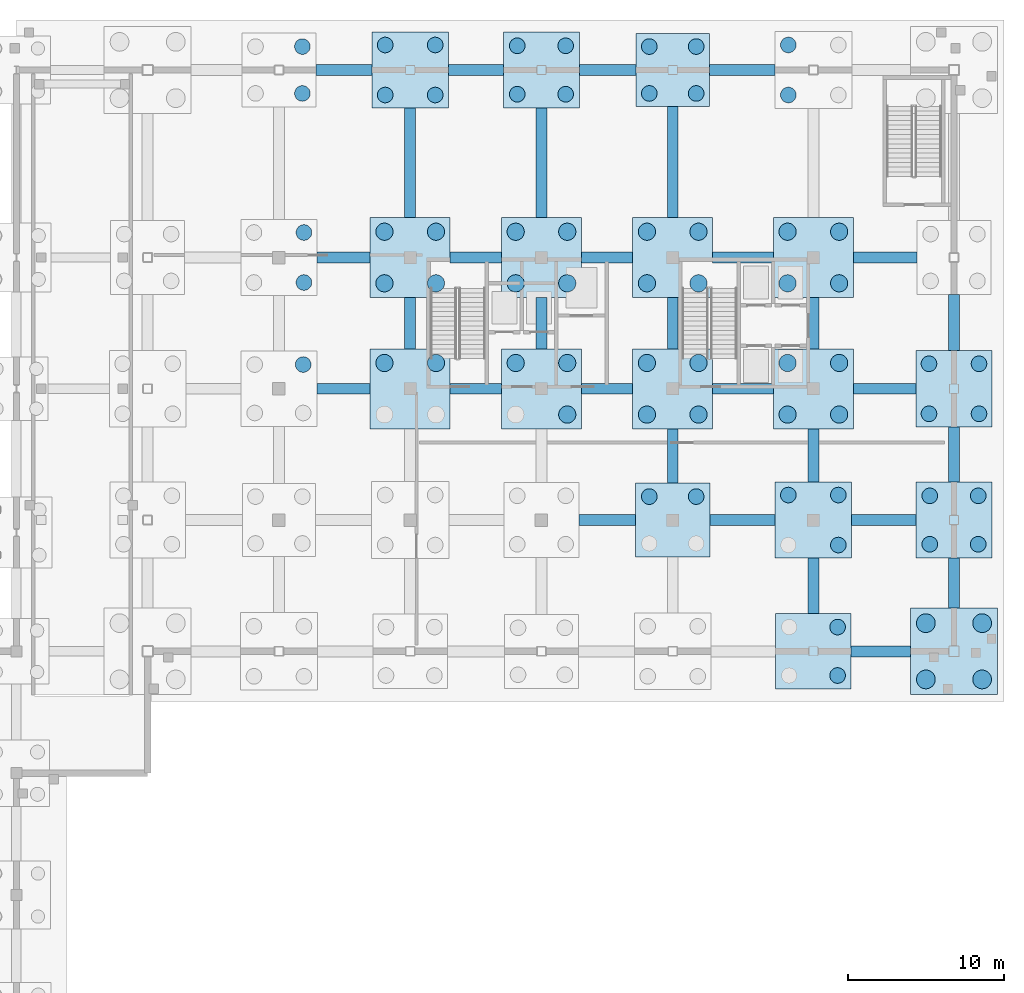
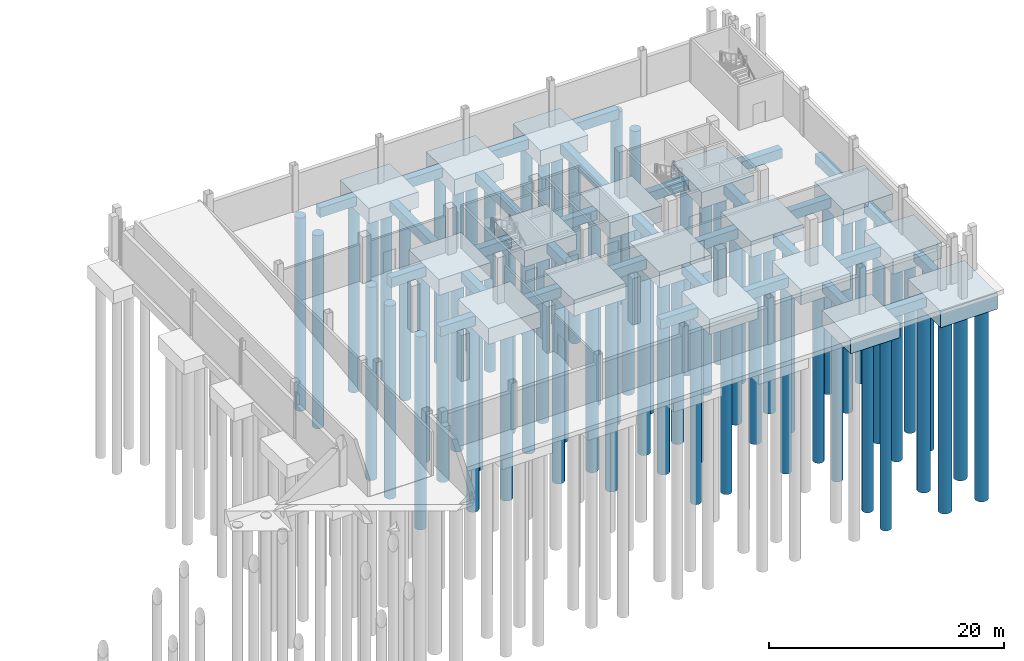
# One storey, part 11 of 44: 67 piles, 48 footings.
"""IFC4 building model written with IfcOpenShell, lengths in metres."""

from ifc_helpers import new_model, si_unit, direction, frame, origin, origin_2d, place, context, subcontext, project, spatial, polyline, rectangle, circle, outline, extrude, material, material_profile, profile_set, type_object, element, save


model = new_model("IFC4")

# Units and contexts
model_context = context("Model", 3, precision=1e-05, world=origin(), true_north=direction((0.0, 1.0)))
body_context = subcontext(model_context, "Body", "Model", "MODEL_VIEW")
ifc_project = project(units=[si_unit("LENGTHUNIT", "METRE"), si_unit("AREAUNIT", "SQUARE_METRE"), si_unit("VOLUMEUNIT", "CUBIC_METRE"), si_unit("PLANEANGLEUNIT", "RADIAN"), si_unit("MASSUNIT", "GRAM", prefix="KILO")], contexts=[model_context])

# Site, building, storey
site_placement = place(None, origin())
site = spatial("IfcSite", under=ifc_project, at=site_placement, CompositionType="ELEMENT")
building_placement = place(site_placement, origin())
building = spatial("IfcBuilding", under=site, at=building_placement, Name="Yukiwa Park Conservatory and Herbarium", CompositionType="ELEMENT")
storey_placement = place(building_placement, frame((0.0, 0.0, -4.800048828125)))
storey = spatial("IfcBuildingStorey", under=building, at=storey_placement, Name="B1", CompositionType="ELEMENT", Elevation=-4.800048828125)

# Footings
ifc_material_1 = material(Name="Concrete C35", Category="concrete")
footing_type_1 = type_object("IfcFootingType", Name="FT-BEAM-700X1000", PredefinedType="FOOTING_BEAM", material=ifc_material_1)
footing_1_placement = place(storey_placement, frame((0.0, 0.0, -1.449951171875)))
element("IfcFooting", 1, at=footing_1_placement, inside=storey, type_object=footing_type_1, Name="Foundation tie beam X-106", PredefinedType="FOOTING_BEAM", context=body_context, shape_type="SweptSolid", body=[
    extrude(outline(polyline([(161.419921875, 77.64990234375), (165.219970703125, 77.64990234375), (165.219970703125, 78.35009765625), (161.419921875, 78.35009765625), (161.419921875, 77.64990234375)])), origin(), (0.0, 0.0, 1.0), 1.0),
])
footing_2_placement = place(storey_placement, frame((0.0, 0.0, -1.449951171875)))
element("IfcFooting", 2, at=footing_2_placement, inside=storey, type_object=footing_type_1, Name="Foundation tie beam X-118", PredefinedType="FOOTING_BEAM", context=body_context, shape_type="SweptSolid", body=[
    extrude(outline(polyline([(143.989990234375, 86.050048828125), (147.6298828125, 86.050048828125), (147.6298828125, 86.75), (143.989990234375, 86.75), (143.989990234375, 86.050048828125)])), origin(), (0.0, 0.0, 1.0), 1.0),
])
footing_3_placement = place(storey_placement, frame((0.0, 0.0, -1.449951171875)))
element("IfcFooting", 3, at=footing_3_placement, inside=storey, type_object=footing_type_1, Name="Foundation tie beam X-119", PredefinedType="FOOTING_BEAM", context=body_context, shape_type="SweptSolid", body=[
    extrude(outline(polyline([(152.3701171875, 86.050048828125), (156.56005859375, 86.050048828125), (156.56005859375, 86.75), (152.3701171875, 86.75), (152.3701171875, 86.050048828125)])), origin(), (0.0, 0.0, 1.0), 1.0),
])
footing_4_placement = place(storey_placement, frame((0.0, 0.0, -1.449951171875)))
element("IfcFooting", 4, at=footing_4_placement, inside=storey, type_object=footing_type_1, Name="Foundation tie beam X-120", PredefinedType="FOOTING_BEAM", context=body_context, shape_type="SweptSolid", body=[
    extrude(outline(polyline([(161.43994140625, 86.050048828125), (165.580078125, 86.050048828125), (165.580078125, 86.75), (161.43994140625, 86.75), (161.43994140625, 86.050048828125)])), origin(), (0.0, 0.0, 1.0), 1.0),
])
footing_5_placement = place(storey_placement, frame((0.0, 0.0, -1.449951171875)))
element("IfcFooting", 5, at=footing_5_placement, inside=storey, type_object=footing_type_1, Name="Foundation tie beam X-129", PredefinedType="FOOTING_BEAM", context=body_context, shape_type="SweptSolid", body=[
    extrude(outline(polyline([(127.219970703125, 94.449951171875), (130.639892578125, 94.449951171875), (130.639892578125, 95.14990234375), (127.219970703125, 95.14990234375), (127.219970703125, 94.449951171875)])), origin(), (0.0, 0.0, 1.0), 1.0),
])
footing_6_placement = place(storey_placement, frame((0.0, 0.0, -1.449951171875)))
element("IfcFooting", 6, at=footing_6_placement, inside=storey, type_object=footing_type_1, Name="Foundation tie beam X-130", PredefinedType="FOOTING_BEAM", context=body_context, shape_type="SweptSolid", body=[
    extrude(outline(polyline([(135.760009765625, 94.449951171875), (139.0400390625, 94.449951171875), (139.0400390625, 95.14990234375), (135.760009765625, 95.14990234375), (135.760009765625, 94.449951171875)])), origin(), (0.0, 0.0, 1.0), 1.0),
])
footing_7_placement = place(storey_placement, frame((0.0, 0.0, -1.449951171875)))
element("IfcFooting", 7, at=footing_7_placement, inside=storey, type_object=footing_type_1, Name="Foundation tie beam X-131", PredefinedType="FOOTING_BEAM", context=body_context, shape_type="SweptSolid", body=[
    extrude(outline(polyline([(144.159912109375, 94.449951171875), (147.43994140625, 94.449951171875), (147.43994140625, 95.14990234375), (144.159912109375, 95.14990234375), (144.159912109375, 94.449951171875)])), origin(), (0.0, 0.0, 1.0), 1.0),
])
footing_8_placement = place(storey_placement, frame((0.0, 0.0, -1.449951171875)))
element("IfcFooting", 8, at=footing_8_placement, inside=storey, type_object=footing_type_1, Name="Foundation tie beam X-132", PredefinedType="FOOTING_BEAM", context=body_context, shape_type="SweptSolid", body=[
    extrude(outline(polyline([(152.56005859375, 94.449951171875), (156.43994140625, 94.449951171875), (156.43994140625, 95.14990234375), (152.56005859375, 95.14990234375), (152.56005859375, 94.449951171875)])), origin(), (0.0, 0.0, 1.0), 1.0),
])
footing_9_placement = place(storey_placement, frame((0.0, 0.0, -1.449951171875)))
element("IfcFooting", 9, at=footing_9_placement, inside=storey, type_object=footing_type_1, Name="Foundation tie beam X-133", PredefinedType="FOOTING_BEAM", context=body_context, shape_type="SweptSolid", body=[
    extrude(outline(polyline([(161.56005859375, 94.449951171875), (165.56005859375, 94.449951171875), (165.56005859375, 95.14990234375), (161.56005859375, 95.14990234375), (161.56005859375, 94.449951171875)])), origin(), (0.0, 0.0, 1.0), 1.0),
])
footing_10_placement = place(storey_placement, frame((0.0, 0.0, -1.449951171875)))
element("IfcFooting", 10, at=footing_10_placement, inside=storey, type_object=footing_type_1, Name="Foundation tie beam X-142", PredefinedType="FOOTING_BEAM", context=body_context, shape_type="SweptSolid", body=[
    extrude(outline(polyline([(127.239990234375, 102.85009765625), (130.639892578125, 102.85009765625), (130.639892578125, 103.550048828125), (127.239990234375, 103.550048828125), (127.239990234375, 102.85009765625)])), origin(), (0.0, 0.0, 1.0), 1.0),
])
footing_11_placement = place(storey_placement, frame((0.0, 0.0, -1.449951171875)))
element("IfcFooting", 11, at=footing_11_placement, inside=storey, type_object=footing_type_1, Name="Foundation tie beam X-143", PredefinedType="FOOTING_BEAM", context=body_context, shape_type="SweptSolid", body=[
    extrude(outline(polyline([(135.760009765625, 102.85009765625), (139.0400390625, 102.85009765625), (139.0400390625, 103.550048828125), (135.760009765625, 103.550048828125), (135.760009765625, 102.85009765625)])), origin(), (0.0, 0.0, 1.0), 1.0),
])
footing_12_placement = place(storey_placement, frame((0.0, 0.0, -1.449951171875)))
element("IfcFooting", 12, at=footing_12_placement, inside=storey, type_object=footing_type_1, Name="Foundation tie beam X-144", PredefinedType="FOOTING_BEAM", context=body_context, shape_type="SweptSolid", body=[
    extrude(outline(polyline([(144.159912109375, 102.85009765625), (147.43994140625, 102.85009765625), (147.43994140625, 103.550048828125), (144.159912109375, 103.550048828125), (144.159912109375, 102.85009765625)])), origin(), (0.0, 0.0, 1.0), 1.0),
])
footing_13_placement = place(storey_placement, frame((0.0, 0.0, -1.449951171875)))
element("IfcFooting", 13, at=footing_13_placement, inside=storey, type_object=footing_type_1, Name="Foundation tie beam X-145", PredefinedType="FOOTING_BEAM", context=body_context, shape_type="SweptSolid", body=[
    extrude(outline(polyline([(152.56005859375, 102.85009765625), (156.43994140625, 102.85009765625), (156.43994140625, 103.550048828125), (152.56005859375, 103.550048828125), (152.56005859375, 102.85009765625)])), origin(), (0.0, 0.0, 1.0), 1.0),
])
footing_14_placement = place(storey_placement, frame((0.0, 0.0, -1.449951171875)))
element("IfcFooting", 14, at=footing_14_placement, inside=storey, type_object=footing_type_1, Name="Foundation tie beam X-146", PredefinedType="FOOTING_BEAM", context=body_context, shape_type="SweptSolid", body=[
    extrude(outline(polyline([(161.56005859375, 102.85009765625), (165.6298828125, 102.85009765625), (165.6298828125, 103.550048828125), (161.56005859375, 103.550048828125), (161.56005859375, 102.85009765625)])), origin(), (0.0, 0.0, 1.0), 1.0),
])
footing_15_placement = place(storey_placement, frame((0.0, 0.0, -1.449951171875)))
element("IfcFooting", 15, at=footing_15_placement, inside=storey, type_object=footing_type_1, Name="Foundation tie beam X-155", PredefinedType="FOOTING_BEAM", context=body_context, shape_type="SweptSolid", body=[
    extrude(outline(polyline([(127.169921875, 114.85009765625), (130.760009765625, 114.85009765625), (130.760009765625, 115.550048828125), (127.169921875, 115.550048828125), (127.169921875, 114.85009765625)])), origin(), (0.0, 0.0, 1.0), 1.0),
])
footing_16_placement = place(storey_placement, frame((0.0, 0.0, -1.449951171875)))
element("IfcFooting", 16, at=footing_16_placement, inside=storey, type_object=footing_type_1, Name="Foundation tie beam X-156", PredefinedType="FOOTING_BEAM", context=body_context, shape_type="SweptSolid", body=[
    extrude(outline(polyline([(135.639892578125, 114.85009765625), (139.179931640625, 114.85009765625), (139.179931640625, 115.550048828125), (135.639892578125, 115.550048828125), (135.639892578125, 114.85009765625)])), origin(), (0.0, 0.0, 1.0), 1.0),
])
footing_17_placement = place(storey_placement, frame((0.0, 0.0, -1.449951171875)))
element("IfcFooting", 17, at=footing_17_placement, inside=storey, type_object=footing_type_1, Name="Foundation tie beam X-157", PredefinedType="FOOTING_BEAM", context=body_context, shape_type="SweptSolid", body=[
    extrude(outline(polyline([(144.02001953125, 114.85009765625), (147.659912109375, 114.85009765625), (147.659912109375, 115.550048828125), (144.02001953125, 115.550048828125), (144.02001953125, 114.85009765625)])), origin(), (0.0, 0.0, 1.0), 1.0),
])
footing_18_placement = place(storey_placement, frame((0.0, 0.0, -1.449951171875)))
element("IfcFooting", 18, at=footing_18_placement, inside=storey, type_object=footing_type_1, Name="Foundation tie beam X-158", PredefinedType="FOOTING_BEAM", context=body_context, shape_type="SweptSolid", body=[
    extrude(outline(polyline([(152.340087890625, 114.85009765625), (156.530029296875, 114.85009765625), (156.530029296875, 115.550048828125), (152.340087890625, 115.550048828125), (152.340087890625, 114.85009765625)])), origin(), (0.0, 0.0, 1.0), 1.0),
])
footing_19_placement = place(storey_placement, frame((0.0, 0.0, -1.449951171875)))
element("IfcFooting", 19, at=footing_19_placement, inside=storey, type_object=footing_type_1, Name="Foundation tie beam Y-293", PredefinedType="FOOTING_BEAM", context=body_context, shape_type="SweptSolid", body=[
    extrude(outline(polyline([(132.85009765625, 97.360107421875), (133.550048828125, 97.360107421875), (133.550048828125, 100.639892578125), (132.85009765625, 100.639892578125), (132.85009765625, 97.360107421875)])), origin(), (0.0, 0.0, 1.0), 1.0),
])
footing_20_placement = place(storey_placement, frame((0.0, 0.0, -1.449951171875)))
element("IfcFooting", 20, at=footing_20_placement, inside=storey, type_object=footing_type_1, Name="Foundation tie beam Y-294", PredefinedType="FOOTING_BEAM", context=body_context, shape_type="SweptSolid", body=[
    extrude(outline(polyline([(132.85009765625, 105.760009765625), (133.550048828125, 105.760009765625), (133.550048828125, 112.760009765625), (132.85009765625, 112.760009765625), (132.85009765625, 105.760009765625)])), origin(), (0.0, 0.0, 1.0), 1.0),
])
footing_21_placement = place(storey_placement, frame((0.0, 0.0, -1.449951171875)))
element("IfcFooting", 21, at=footing_21_placement, inside=storey, type_object=footing_type_1, Name="Foundation tie beam Y-297", PredefinedType="FOOTING_BEAM", context=body_context, shape_type="SweptSolid", body=[
    extrude(outline(polyline([(141.25, 97.360107421875), (141.949951171875, 97.360107421875), (141.949951171875, 100.639892578125), (141.25, 100.639892578125), (141.25, 97.360107421875)])), origin(), (0.0, 0.0, 1.0), 1.0),
])
footing_22_placement = place(storey_placement, frame((0.0, 0.0, -1.449951171875)))
element("IfcFooting", 22, at=footing_22_placement, inside=storey, type_object=footing_type_1, Name="Foundation tie beam Y-298", PredefinedType="FOOTING_BEAM", context=body_context, shape_type="SweptSolid", body=[
    extrude(outline(polyline([(141.25, 105.760009765625), (141.949951171875, 105.760009765625), (141.949951171875, 112.780029296875), (141.25, 112.780029296875), (141.25, 105.760009765625)])), origin(), (0.0, 0.0, 1.0), 1.0),
])
footing_23_placement = place(storey_placement, frame((0.0, 0.0, -1.449951171875)))
element("IfcFooting", 23, at=footing_23_placement, inside=storey, type_object=footing_type_1, Name="Foundation tie beam Y-300", PredefinedType="FOOTING_BEAM", context=body_context, shape_type="SweptSolid", body=[
    extrude(outline(polyline([(149.64990234375, 88.77001953125), (150.35009765625, 88.77001953125), (150.35009765625, 92.239990234375), (149.64990234375, 92.239990234375), (149.64990234375, 88.77001953125)])), origin(), (0.0, 0.0, 1.0), 1.0),
])
footing_24_placement = place(storey_placement, frame((0.0, 0.0, -1.449951171875)))
element("IfcFooting", 24, at=footing_24_placement, inside=storey, type_object=footing_type_1, Name="Foundation tie beam Y-301", PredefinedType="FOOTING_BEAM", context=body_context, shape_type="SweptSolid", body=[
    extrude(outline(polyline([(149.64990234375, 97.360107421875), (150.35009765625, 97.360107421875), (150.35009765625, 100.639892578125), (149.64990234375, 100.639892578125), (149.64990234375, 97.360107421875)])), origin(), (0.0, 0.0, 1.0), 1.0),
])
footing_25_placement = place(storey_placement, frame((0.0, 0.0, -1.449951171875)))
element("IfcFooting", 25, at=footing_25_placement, inside=storey, type_object=footing_type_1, Name="Foundation tie beam Y-302", PredefinedType="FOOTING_BEAM", context=body_context, shape_type="SweptSolid", body=[
    extrude(outline(polyline([(149.64990234375, 105.760009765625), (150.35009765625, 105.760009765625), (150.35009765625, 112.860107421875), (149.64990234375, 112.860107421875), (149.64990234375, 105.760009765625)])), origin(), (0.0, 0.0, 1.0), 1.0),
])
footing_26_placement = place(storey_placement, frame((0.0, 0.0, -1.449951171875)))
element("IfcFooting", 26, at=footing_26_placement, inside=storey, type_object=footing_type_1, Name="Foundation tie beam Y-303", PredefinedType="FOOTING_BEAM", context=body_context, shape_type="SweptSolid", body=[
    extrude(outline(polyline([(158.64990234375, 80.419921875), (159.35009765625, 80.419921875), (159.35009765625, 83.9599609375), (158.64990234375, 83.9599609375), (158.64990234375, 80.419921875)])), origin(), (0.0, 0.0, 1.0), 1.0),
])
footing_27_placement = place(storey_placement, frame((0.0, 0.0, -1.449951171875)))
element("IfcFooting", 27, at=footing_27_placement, inside=storey, type_object=footing_type_1, Name="Foundation tie beam Y-304", PredefinedType="FOOTING_BEAM", context=body_context, shape_type="SweptSolid", body=[
    extrude(outline(polyline([(158.64990234375, 88.840087890625), (159.35009765625, 88.840087890625), (159.35009765625, 92.239990234375), (158.64990234375, 92.239990234375), (158.64990234375, 88.840087890625)])), origin(), (0.0, 0.0, 1.0), 1.0),
])
footing_28_placement = place(storey_placement, frame((0.0, 0.0, -1.449951171875)))
element("IfcFooting", 28, at=footing_28_placement, inside=storey, type_object=footing_type_1, Name="Foundation tie beam Y-305", PredefinedType="FOOTING_BEAM", context=body_context, shape_type="SweptSolid", body=[
    extrude(outline(polyline([(158.64990234375, 97.360107421875), (159.35009765625, 97.360107421875), (159.35009765625, 100.639892578125), (158.64990234375, 100.639892578125), (158.64990234375, 97.360107421875)])), origin(), (0.0, 0.0, 1.0), 1.0),
])
footing_29_placement = place(storey_placement, frame((0.0, 0.0, -1.449951171875)))
element("IfcFooting", 29, at=footing_29_placement, inside=storey, type_object=footing_type_1, Name="Foundation tie beam Y-307", PredefinedType="FOOTING_BEAM", context=body_context, shape_type="SweptSolid", body=[
    extrude(outline(polyline([(167.64990234375, 80.780029296875), (168.35009765625, 80.780029296875), (168.35009765625, 83.97998046875), (167.64990234375, 83.97998046875), (167.64990234375, 80.780029296875)])), origin(), (0.0, 0.0, 1.0), 1.0),
])
footing_30_placement = place(storey_placement, frame((0.0, 0.0, -1.449951171875)))
element("IfcFooting", 30, at=footing_30_placement, inside=storey, type_object=footing_type_1, Name="Foundation tie beam Y-308", PredefinedType="FOOTING_BEAM", context=body_context, shape_type="SweptSolid", body=[
    extrude(outline(polyline([(167.64990234375, 88.820068359375), (168.35009765625, 88.820068359375), (168.35009765625, 92.360107421875), (167.64990234375, 92.360107421875), (167.64990234375, 88.820068359375)])), origin(), (0.0, 0.0, 1.0), 1.0),
])
footing_31_placement = place(storey_placement, frame((0.0, 0.0, -1.449951171875)))
element("IfcFooting", 31, at=footing_31_placement, inside=storey, type_object=footing_type_1, Name="Foundation tie beam Y-309", PredefinedType="FOOTING_BEAM", context=body_context, shape_type="SweptSolid", body=[
    extrude(outline(polyline([(167.64990234375, 97.239990234375), (168.35009765625, 97.239990234375), (168.35009765625, 100.830078125), (167.64990234375, 100.830078125), (167.64990234375, 97.239990234375)])), origin(), (0.0, 0.0, 1.0), 1.0),
])
ifc_material_2 = material(Name="Concrete C35", Category="concrete")
footing_type_2 = type_object("IfcFootingType", Name="FT-PC-4680X4680X1600", PredefinedType="PILE_CAP", material=ifc_material_2)
footing_32_placement = place(storey_placement, frame((150.0, 115.199951171875, -2.050048828125), z_axis=(0.0, 0.0, 1.0), x_axis=(1.0, 0.0, 0.0)))
element("IfcFooting", 32, at=footing_32_placement, inside=storey, type_object=footing_type_2, Name="Reinforced concrete pile cap 169", PredefinedType="PILE_CAP", context=body_context, shape_type="SweptSolid", body=[
    extrude(rectangle(XDim=4.679931640625, YDim=4.679931640625, at=origin_2d()), origin(), (0.0, 0.0, 1.0), 1.60009765625),
])
ifc_material_3 = material(Name="Concrete C35", Category="concrete")
footing_type_3 = type_object("IfcFootingType", Name="FT-PC-4740X4740X1600", PredefinedType="PILE_CAP", material=ifc_material_3)
footing_33_placement = place(storey_placement, frame((150.0, 86.39990234375, -2.050048828125), z_axis=(0.0, 0.0, 1.0), x_axis=(1.0, 0.0, 0.0)))
element("IfcFooting", 33, at=footing_33_placement, inside=storey, type_object=footing_type_3, Name="Reinforced concrete pile cap 166", PredefinedType="PILE_CAP", context=body_context, shape_type="SweptSolid", body=[
    extrude(rectangle(XDim=4.739990234375, YDim=4.739990234375, at=origin_2d()), origin(), (0.0, 0.0, 1.0), 1.60009765625),
])
ifc_material_4 = material(Name="Concrete C35", Category="concrete")
footing_type_4 = type_object("IfcFootingType", Name="FT-PC-4840X4840X1600", PredefinedType="PILE_CAP", material=ifc_material_4)
for number, where, z_axis, x_axis, name in (
    (34, (141.60009765625, 115.199951171875, -2.050048828125), (0.0, 0.0, 1.0), (1.0, 0.0, 0.0), "Reinforced concrete pile cap 164"),
    (35, (159.0, 78.0, -2.050048828125), (0.0, 0.0, 1.0), (1.0, 0.0, 0.0), "Reinforced concrete pile cap 170"),
    (36, (168.0, 86.39990234375, -2.050048828125), (0.0, 0.0, 1.0), (1.0, 0.0, 0.0), "Reinforced concrete pile cap 176"),
):
    element("IfcFooting", number, at=place(storey_placement, frame(where, z_axis=z_axis, x_axis=x_axis)), inside=storey, type_object=footing_type_4, Name=name, PredefinedType="PILE_CAP", context=body_context, shape_type="SweptSolid", body=[
        extrude(rectangle(XDim=4.840087890625, YDim=4.840087890625, at=origin_2d()), origin(), (0.0, 0.0, 1.0), 1.60009765625),
    ])
ifc_material_5 = material(Name="Concrete C35", Category="concrete")
footing_type_5 = type_object("IfcFootingType", Name="FT-PC-4880X4880X1600", PredefinedType="PILE_CAP", material=ifc_material_5)
for number, where, z_axis, x_axis, name in (
    (37, (133.199951171875, 115.199951171875, -2.050048828125), (0.0, 0.0, 1.0), (1.0, 0.0, 0.0), "Reinforced concrete pile cap 159"),
    (38, (159.0, 86.39990234375, -2.050048828125), (0.0, 0.0, 1.0), (1.0, 0.0, 0.0), "Reinforced concrete pile cap 171"),
    (39, (168.0, 94.800048828125, -2.050048828125), (0.0, 0.0, 1.0), (1.0, 0.0, 0.0), "Reinforced concrete pile cap 177"),
):
    element("IfcFooting", number, at=place(storey_placement, frame(where, z_axis=z_axis, x_axis=x_axis)), inside=storey, type_object=footing_type_5, Name=name, PredefinedType="PILE_CAP", context=body_context, shape_type="SweptSolid", body=[
        extrude(rectangle(XDim=4.8798828125, YDim=4.8798828125, at=origin_2d()), origin(), (0.0, 0.0, 1.0), 1.60009765625),
    ])
ifc_material_6 = material(Name="Concrete C35", Category="concrete")
footing_type_6 = type_object("IfcFootingType", Name="FT-PC-5120X5120X1650", PredefinedType="PILE_CAP", material=ifc_material_6)
for number, where, z_axis, x_axis, name in (
    (40, (133.199951171875, 94.800048828125, -2.099853515625), (0.0, 0.0, 1.0), (1.0, 0.0, 0.0), "Reinforced concrete pile cap 157"),
    (41, (133.199951171875, 103.199951171875, -2.099853515625), (0.0, 0.0, 1.0), (1.0, 0.0, 0.0), "Reinforced concrete pile cap 158"),
    (42, (141.60009765625, 94.800048828125, -2.099853515625), (0.0, 0.0, 1.0), (1.0, 0.0, 0.0), "Reinforced concrete pile cap 162"),
    (43, (141.60009765625, 103.199951171875, -2.099853515625), (0.0, 0.0, 1.0), (1.0, 0.0, 0.0), "Reinforced concrete pile cap 163"),
    (44, (150.0, 94.800048828125, -2.099853515625), (0.0, 0.0, 1.0), (1.0, 0.0, 0.0), "Reinforced concrete pile cap 167"),
    (45, (150.0, 103.199951171875, -2.099853515625), (0.0, 0.0, 1.0), (1.0, 0.0, 0.0), "Reinforced concrete pile cap 168"),
    (46, (159.0, 94.800048828125, -2.099853515625), (0.0, 0.0, 1.0), (1.0, 0.0, 0.0), "Reinforced concrete pile cap 172"),
    (47, (159.0, 103.199951171875, -2.099853515625), (0.0, 0.0, 1.0), (1.0, 0.0, 0.0), "Reinforced concrete pile cap 173"),
):
    element("IfcFooting", number, at=place(storey_placement, frame(where, z_axis=z_axis, x_axis=x_axis)), inside=storey, type_object=footing_type_6, Name=name, PredefinedType="PILE_CAP", context=body_context, shape_type="SweptSolid", body=[
        extrude(rectangle(XDim=5.1201171875, YDim=5.1201171875, at=origin_2d()), origin(), (0.0, 0.0, 1.0), 1.64990234375),
    ])
ifc_material_7 = material(Name="Concrete C35", Category="concrete")
footing_type_7 = type_object("IfcFootingType", Name="FT-PC-5560X5560X1700", PredefinedType="PILE_CAP", material=ifc_material_7)
footing_34_placement = place(storey_placement, frame((168.0, 78.0, -2.14990234375), z_axis=(0.0, 0.0, 1.0), x_axis=(1.0, 0.0, 0.0)))
element("IfcFooting", 48, at=footing_34_placement, inside=storey, type_object=footing_type_7, Name="Reinforced concrete pile cap 175", PredefinedType="PILE_CAP", context=body_context, shape_type="SweptSolid", body=[
    extrude(rectangle(XDim=5.56005859375, YDim=5.56005859375, at=origin_2d()), origin(), (0.0, 0.0, 1.0), 1.699951171875),
])

# Piles
ifc_material_8 = material(Name="Concrete C35", Category="concrete")
ifc_material_profile_1 = material_profile(ifc_material_8, circle(Radius=0.5, at=origin_2d()), Name="PILE D1000")
ifc_profile_set_1 = profile_set([ifc_material_profile_1], Name="Concrete C35")
pile_type_1 = type_object("IfcPileType", Name="PL-BORED-D1000", PredefinedType="BORED", material=ifc_profile_set_1)
for number, where, z_axis, x_axis, name in (
    (49, (126.35009765625, 96.35009765625, -1.949951171875), (0.0, 0.0, -1.0), (1.0, 0.0, 0.0), "Bored cast-in-place pile 152.4"),
    (50, (126.39990234375, 101.60009765625, -1.949951171875), (0.0, 0.0, -1.0), (1.0, 0.0, 0.0), "Bored cast-in-place pile 153.2"),
    (51, (126.39990234375, 104.800048828125, -1.949951171875), (0.0, 0.0, -1.0), (1.0, 0.0, 0.0), "Bored cast-in-place pile 153.4"),
    (52, (126.300048828125, 113.699951171875, -1.949951171875), (0.0, 0.0, -1.0), (1.0, 0.0, 0.0), "Bored cast-in-place pile 154.2"),
    (53, (126.300048828125, 116.699951171875, -1.949951171875), (0.0, 0.0, -1.0), (1.0, 0.0, 0.0), "Bored cast-in-place pile 154.4"),
    (54, (131.60009765625, 113.60009765625, -1.949951171875), (0.0, 0.0, -1.0), (1.0, 0.0, 0.0), "Bored cast-in-place pile 159.1"),
    (55, (134.800048828125, 113.60009765625, -1.949951171875), (0.0, 0.0, -1.0), (1.0, 0.0, 0.0), "Bored cast-in-place pile 159.2"),
    (56, (131.60009765625, 116.800048828125, -1.949951171875), (0.0, 0.0, -1.0), (1.0, 0.0, 0.0), "Bored cast-in-place pile 159.3"),
    (57, (134.800048828125, 116.800048828125, -1.949951171875), (0.0, 0.0, -1.0), (1.0, 0.0, 0.0), "Bored cast-in-place pile 159.4"),
    (58, (140.050048828125, 113.64990234375, -1.949951171875), (0.0, 0.0, -1.0), (1.0, 0.0, 0.0), "Bored cast-in-place pile 164.1"),
    (59, (143.14990234375, 113.64990234375, -1.949951171875), (0.0, 0.0, -1.0), (1.0, 0.0, 0.0), "Bored cast-in-place pile 164.2"),
    (60, (140.050048828125, 116.75, -1.949951171875), (0.0, 0.0, -1.0), (1.0, 0.0, 0.0), "Bored cast-in-place pile 164.3"),
    (61, (143.14990234375, 116.75, -1.949951171875), (0.0, 0.0, -1.0), (1.0, 0.0, 0.0), "Bored cast-in-place pile 164.4"),
    (62, (148.5, 87.89990234375, -1.949951171875), (0.0, 0.0, -1.0), (1.0, 0.0, 0.0), "Bored cast-in-place pile 166.3"),
    (63, (151.5, 87.89990234375, -1.949951171875), (0.0, 0.0, -1.0), (1.0, 0.0, 0.0), "Bored cast-in-place pile 166.4"),
    (64, (148.5, 113.699951171875, -1.949951171875), (0.0, 0.0, -1.0), (1.0, 0.0, 0.0), "Bored cast-in-place pile 169.1"),
    (65, (151.5, 113.699951171875, -1.949951171875), (0.0, 0.0, -1.0), (1.0, 0.0, 0.0), "Bored cast-in-place pile 169.2"),
    (66, (148.5, 116.699951171875, -1.949951171875), (0.0, 0.0, -1.0), (1.0, 0.0, 0.0), "Bored cast-in-place pile 169.3"),
    (67, (151.5, 116.699951171875, -1.949951171875), (0.0, 0.0, -1.0), (1.0, 0.0, 0.0), "Bored cast-in-place pile 169.4"),
    (68, (160.550048828125, 76.449951171875, -1.949951171875), (0.0, 0.0, -1.0), (1.0, 0.0, 0.0), "Bored cast-in-place pile 170.2"),
    (69, (160.550048828125, 79.550048828125, -1.949951171875), (0.0, 0.0, -1.0), (1.0, 0.0, 0.0), "Bored cast-in-place pile 170.4"),
    (70, (160.60009765625, 84.800048828125, -1.949951171875), (0.0, 0.0, -1.0), (1.0, 0.0, 0.0), "Bored cast-in-place pile 171.2"),
    (71, (157.39990234375, 88.0, -1.949951171875), (0.0, 0.0, -1.0), (1.0, 0.0, 0.0), "Bored cast-in-place pile 171.3"),
    (72, (160.60009765625, 88.0, -1.949951171875), (0.0, 0.0, -1.0), (1.0, 0.0, 0.0), "Bored cast-in-place pile 171.4"),
    (73, (157.39990234375, 113.60009765625, -1.949951171875), (0.0, 0.0, -1.0), (1.0, 0.0, 0.0), "Bored cast-in-place pile 174.1"),
    (74, (157.39990234375, 116.800048828125, -1.949951171875), (0.0, 0.0, -1.0), (1.0, 0.0, 0.0), "Bored cast-in-place pile 174.3"),
    (75, (166.449951171875, 84.85009765625, -1.949951171875), (0.0, 0.0, -1.0), (1.0, 0.0, 0.0), "Bored cast-in-place pile 176.1"),
    (76, (169.550048828125, 84.85009765625, -1.949951171875), (0.0, 0.0, -1.0), (1.0, 0.0, 0.0), "Bored cast-in-place pile 176.2"),
    (77, (166.449951171875, 87.949951171875, -1.949951171875), (0.0, 0.0, -1.0), (1.0, 0.0, 0.0), "Bored cast-in-place pile 176.3"),
    (78, (169.550048828125, 87.949951171875, -1.949951171875), (0.0, 0.0, -1.0), (1.0, 0.0, 0.0), "Bored cast-in-place pile 176.4"),
    (79, (166.39990234375, 93.199951171875, -1.949951171875), (0.0, 0.0, -1.0), (1.0, 0.0, 0.0), "Bored cast-in-place pile 177.1"),
    (80, (169.60009765625, 93.199951171875, -1.949951171875), (0.0, 0.0, -1.0), (1.0, 0.0, 0.0), "Bored cast-in-place pile 177.2"),
    (81, (166.39990234375, 96.39990234375, -1.949951171875), (0.0, 0.0, -1.0), (1.0, 0.0, 0.0), "Bored cast-in-place pile 177.3"),
    (82, (169.60009765625, 96.39990234375, -1.949951171875), (0.0, 0.0, -1.0), (1.0, 0.0, 0.0), "Bored cast-in-place pile 177.4"),
):
    element("IfcPile", number, at=place(storey_placement, frame(where, z_axis=z_axis, x_axis=x_axis)), inside=storey, type_object=pile_type_1, Name=name, PredefinedType="BORED", context=body_context, shape_type="SweptSolid", body=[
        extrude(circle(Radius=0.5, at=origin_2d()), origin(), (0.0, 0.0, 1.0), 20.050048828125),
    ])
ifc_material_9 = material(Name="Concrete C35", Category="concrete")
ifc_material_profile_2 = material_profile(ifc_material_9, circle(Radius=0.550048828125, at=origin_2d()), Name="PILE D1100")
ifc_profile_set_2 = profile_set([ifc_material_profile_2], Name="Concrete C35")
pile_type_2 = type_object("IfcPileType", Name="PL-BORED-D1100", PredefinedType="BORED", material=ifc_profile_set_2)
for number, where, z_axis, x_axis, name in (
    (83, (131.550048828125, 96.449951171875, -2.0), (0.0, 0.0, -1.0), (1.0, 0.0, 0.0), "Bored cast-in-place pile 157.3"),
    (84, (134.85009765625, 96.449951171875, -2.0), (0.0, 0.0, -1.0), (1.0, 0.0, 0.0), "Bored cast-in-place pile 157.4"),
    (85, (131.550048828125, 101.550048828125, -2.0), (0.0, 0.0, -1.0), (1.0, 0.0, 0.0), "Bored cast-in-place pile 158.1"),
    (86, (134.85009765625, 101.550048828125, -2.0), (0.0, 0.0, -1.0), (1.0, 0.0, 0.0), "Bored cast-in-place pile 158.2"),
    (87, (131.550048828125, 104.85009765625, -2.0), (0.0, 0.0, -1.0), (1.0, 0.0, 0.0), "Bored cast-in-place pile 158.3"),
    (88, (134.85009765625, 104.85009765625, -2.0), (0.0, 0.0, -1.0), (1.0, 0.0, 0.0), "Bored cast-in-place pile 158.4"),
    (89, (143.25, 93.14990234375, -2.0), (0.0, 0.0, -1.0), (1.0, 0.0, 0.0), "Bored cast-in-place pile 162.2"),
    (90, (139.949951171875, 96.449951171875, -2.0), (0.0, 0.0, -1.0), (1.0, 0.0, 0.0), "Bored cast-in-place pile 162.3"),
    (91, (143.25, 96.449951171875, -2.0), (0.0, 0.0, -1.0), (1.0, 0.0, 0.0), "Bored cast-in-place pile 162.4"),
    (92, (139.949951171875, 101.550048828125, -2.0), (0.0, 0.0, -1.0), (1.0, 0.0, 0.0), "Bored cast-in-place pile 163.1"),
    (93, (143.25, 101.550048828125, -2.0), (0.0, 0.0, -1.0), (1.0, 0.0, 0.0), "Bored cast-in-place pile 163.2"),
    (94, (139.949951171875, 104.85009765625, -2.0), (0.0, 0.0, -1.0), (1.0, 0.0, 0.0), "Bored cast-in-place pile 163.3"),
    (95, (143.25, 104.85009765625, -2.0), (0.0, 0.0, -1.0), (1.0, 0.0, 0.0), "Bored cast-in-place pile 163.4"),
    (96, (148.35009765625, 93.14990234375, -2.0), (0.0, 0.0, -1.0), (1.0, 0.0, 0.0), "Bored cast-in-place pile 167.1"),
    (97, (151.64990234375, 93.14990234375, -2.0), (0.0, 0.0, -1.0), (1.0, 0.0, 0.0), "Bored cast-in-place pile 167.2"),
    (98, (148.35009765625, 96.449951171875, -2.0), (0.0, 0.0, -1.0), (1.0, 0.0, 0.0), "Bored cast-in-place pile 167.3"),
    (99, (151.64990234375, 96.449951171875, -2.0), (0.0, 0.0, -1.0), (1.0, 0.0, 0.0), "Bored cast-in-place pile 167.4"),
    (100, (148.35009765625, 101.550048828125, -2.0), (0.0, 0.0, -1.0), (1.0, 0.0, 0.0), "Bored cast-in-place pile 168.1"),
    (101, (151.64990234375, 101.550048828125, -2.0), (0.0, 0.0, -1.0), (1.0, 0.0, 0.0), "Bored cast-in-place pile 168.2"),
    (102, (148.35009765625, 104.85009765625, -2.0), (0.0, 0.0, -1.0), (1.0, 0.0, 0.0), "Bored cast-in-place pile 168.3"),
    (103, (151.64990234375, 104.85009765625, -2.0), (0.0, 0.0, -1.0), (1.0, 0.0, 0.0), "Bored cast-in-place pile 168.4"),
    (104, (157.35009765625, 93.14990234375, -2.0), (0.0, 0.0, -1.0), (1.0, 0.0, 0.0), "Bored cast-in-place pile 172.1"),
    (105, (160.64990234375, 93.14990234375, -2.0), (0.0, 0.0, -1.0), (1.0, 0.0, 0.0), "Bored cast-in-place pile 172.2"),
    (106, (157.35009765625, 96.449951171875, -2.0), (0.0, 0.0, -1.0), (1.0, 0.0, 0.0), "Bored cast-in-place pile 172.3"),
    (107, (160.64990234375, 96.449951171875, -2.0), (0.0, 0.0, -1.0), (1.0, 0.0, 0.0), "Bored cast-in-place pile 172.4"),
    (108, (157.35009765625, 101.550048828125, -2.0), (0.0, 0.0, -1.0), (1.0, 0.0, 0.0), "Bored cast-in-place pile 173.1"),
    (109, (160.64990234375, 101.550048828125, -2.0), (0.0, 0.0, -1.0), (1.0, 0.0, 0.0), "Bored cast-in-place pile 173.2"),
    (110, (157.35009765625, 104.85009765625, -2.0), (0.0, 0.0, -1.0), (1.0, 0.0, 0.0), "Bored cast-in-place pile 173.3"),
    (111, (160.64990234375, 104.85009765625, -2.0), (0.0, 0.0, -1.0), (1.0, 0.0, 0.0), "Bored cast-in-place pile 173.4"),
):
    element("IfcPile", number, at=place(storey_placement, frame(where, z_axis=z_axis, x_axis=x_axis)), inside=storey, type_object=pile_type_2, Name=name, PredefinedType="BORED", context=body_context, shape_type="SweptSolid", body=[
        extrude(circle(Radius=0.550048828125, at=origin_2d()), origin(), (0.0, 0.0, 1.0), 20.0),
    ])
ifc_material_10 = material(Name="Concrete C35", Category="concrete")
ifc_material_profile_3 = material_profile(ifc_material_10, circle(Radius=0.60009765625, at=origin_2d()), Name="PILE D1200")
ifc_profile_set_3 = profile_set([ifc_material_profile_3], Name="Concrete C35")
pile_type_3 = type_object("IfcPileType", Name="PL-BORED-D1200", PredefinedType="BORED", material=ifc_profile_set_3)
for number, where, z_axis, x_axis, name in (
    (112, (166.199951171875, 76.199951171875, -2.050048828125), (0.0, 0.0, -1.0), (1.0, 0.0, 0.0), "Bored cast-in-place pile 175.1"),
    (113, (169.800048828125, 76.199951171875, -2.050048828125), (0.0, 0.0, -1.0), (1.0, 0.0, 0.0), "Bored cast-in-place pile 175.2"),
    (114, (166.199951171875, 79.800048828125, -2.050048828125), (0.0, 0.0, -1.0), (1.0, 0.0, 0.0), "Bored cast-in-place pile 175.3"),
    (115, (169.800048828125, 79.800048828125, -2.050048828125), (0.0, 0.0, -1.0), (1.0, 0.0, 0.0), "Bored cast-in-place pile 175.4"),
):
    element("IfcPile", number, at=place(storey_placement, frame(where, z_axis=z_axis, x_axis=x_axis)), inside=storey, type_object=pile_type_3, Name=name, PredefinedType="BORED", context=body_context, shape_type="SweptSolid", body=[
        extrude(circle(Radius=0.60009765625, at=origin_2d()), origin(), (0.0, 0.0, 1.0), 19.949951171875),
    ])

save(model, "model.ifc")
